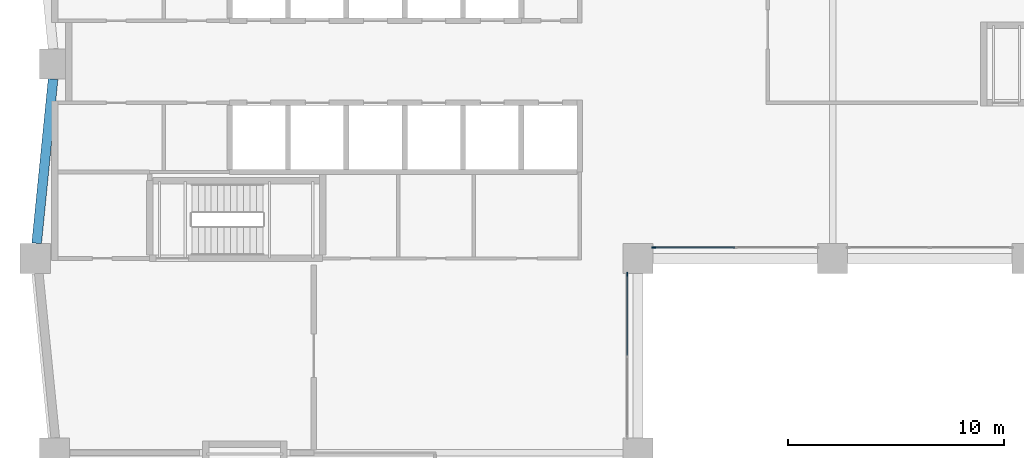
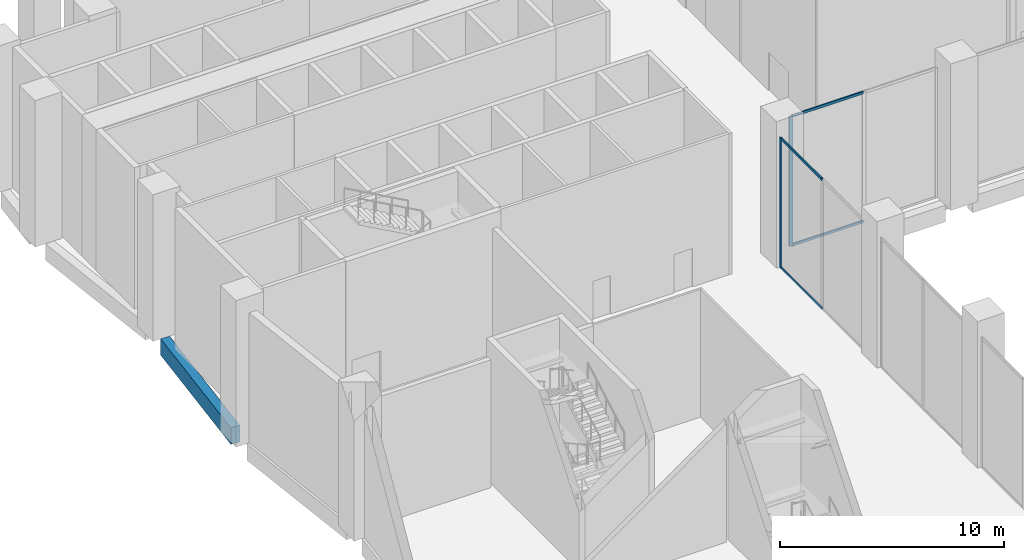
# One storey, part 4 of 19: 6 members, 1 beam, 2 elements without a shape of their own.
"""IFC4 building model written with IfcOpenShell, lengths in metres."""

from ifc_helpers import new_model, si_unit, direction, frame, origin, origin_2d, place, context, subcontext, project, spatial, rectangle, extrude, material, material_profile, profile_set, type_object, element, aggregate, save


model = new_model("IFC4")

# Units and contexts
model_context = context("Model", 3, precision=1e-05, world=origin(), true_north=direction((0.0, 1.0)))
body_context = subcontext(model_context, "Body", "Model", "MODEL_VIEW")
ifc_project = project(units=[si_unit("LENGTHUNIT", "METRE"), si_unit("AREAUNIT", "SQUARE_METRE"), si_unit("VOLUMEUNIT", "CUBIC_METRE"), si_unit("PLANEANGLEUNIT", "RADIAN"), si_unit("MASSUNIT", "GRAM", prefix="KILO")], contexts=[model_context])

# Site, building, storey
site_placement = place(None, origin())
site = spatial("IfcSite", under=ifc_project, at=site_placement, CompositionType="ELEMENT")
building_placement = place(site_placement, origin())
building = spatial("IfcBuilding", under=site, at=building_placement, Name="Brondeck Convention Tower", CompositionType="ELEMENT")
storey_placement = place(building_placement, frame((0.0, 0.0, 19.5)))
storey = spatial("IfcBuildingStorey", under=building, at=storey_placement, Name="L03", CompositionType="ELEMENT", Elevation=19.5)

# Curtain wall, member
ifc_material_1 = material(Name="Aluminium, bronze anodised", Category="aluminium")
curtain_wall_type = type_object("IfcCurtainWallType", Name="Podium hall curtain wall", PredefinedType="NOTDEFINED", material=ifc_material_1)
curtain_wall_1_placement = place(storey_placement, origin())
curtain_wall_1 = element("IfcCurtainWall", 1, at=curtain_wall_1_placement, inside=storey, type_object=curtain_wall_type, Name="ENV-CW2-L03-B-E-01", PredefinedType="NOTDEFINED")
ifc_material_profile_1 = material_profile(ifc_material_1, rectangle(XDim=0.06005859375, YDim=0.179931640625, at=origin_2d()), Name="CW2 mullion")
ifc_profile_set_1 = profile_set([ifc_material_profile_1], Name="Aluminium, bronze anodised")
member_type_1 = type_object("IfcMemberType", Name="CW2 mullion", PredefinedType="MULLION", material=ifc_profile_set_1)
member_1_placement = place(storey_placement, frame((26.5, 35.27001953125, 0.0), z_axis=(0.0, 0.0, 1.0), x_axis=(1.0, 0.0, 0.0)))
member_1 = element("IfcMember", 2, at=member_1_placement, type_object=member_type_1, Name="CW2 mullion 1", PredefinedType="MULLION", context=body_context, shape_type="SweptSolid", body=[
    extrude(rectangle(XDim=0.06005859375, YDim=0.179931640625, at=origin_2d()), origin(), (0.0, 0.0, 1.0), 7.10009765625),
])

curtain_wall_2_placement = place(storey_placement, origin())
curtain_wall_2 = element("IfcCurtainWall", 3, at=curtain_wall_2_placement, inside=storey, type_object=curtain_wall_type, Name="ENV-CW2-L03-A-S-01", PredefinedType="NOTDEFINED")
member_2_placement = place(storey_placement, frame((27.72998046875, 36.5, 0.0), z_axis=(0.0, 0.0, 1.0), x_axis=(0.0, -1.0, 0.0)))
member_2 = element("IfcMember", 4, at=member_2_placement, type_object=member_type_1, Name="CW2 mullion 3", PredefinedType="MULLION", context=body_context, shape_type="SweptSolid", body=[
    extrude(rectangle(XDim=0.06005859375, YDim=0.179931640625, at=origin_2d()), origin(), (0.0, 0.0, 1.0), 7.10009765625),
])

# Member
ifc_material_profile_2 = material_profile(ifc_material_1, rectangle(XDim=0.06005859375, YDim=0.139892578125, at=origin_2d()), Name="CW2 transom")
ifc_profile_set_2 = profile_set([ifc_material_profile_2], Name="Aluminium, bronze anodised")
member_type_2 = type_object("IfcMemberType", Name="CW2 transom", PredefinedType="USERDEFINED", material=ifc_profile_set_2)
member_3_placement = place(storey_placement, frame((26.5, 35.239990234375, 0.030029296875), z_axis=(0.0, -1.0, 0.0), x_axis=(1.0, 0.0, 0.0)))
member_3 = element("IfcMember", 5, at=member_3_placement, type_object=member_type_2, Name="CW2 transom 1.1", ObjectType="TRANSOM", PredefinedType="USERDEFINED", context=body_context, shape_type="SweptSolid", body=[
    extrude(rectangle(XDim=0.06005859375, YDim=0.139892578125, at=origin_2d()), origin(), (0.0, 0.0, 1.0), 3.7099609375),
])

member_4_placement = place(storey_placement, frame((26.5, 35.239990234375, 7.070068359375), z_axis=(0.0, -1.0, 0.0), x_axis=(1.0, 0.0, 0.0)))
member_4 = element("IfcMember", 6, at=member_4_placement, type_object=member_type_2, Name="CW2 transom 1.2", ObjectType="TRANSOM", PredefinedType="USERDEFINED", context=body_context, shape_type="SweptSolid", body=[
    extrude(rectangle(XDim=0.06005859375, YDim=0.139892578125, at=origin_2d()), origin(), (0.0, 0.0, 1.0), 3.7099609375),
])

aggregate(curtain_wall_1, [member_1, member_3, member_4])

member_5_placement = place(storey_placement, frame((31.469970703125, 36.5, 0.030029296875), z_axis=(-1.0, 0.0, 0.0), x_axis=(0.0, -1.0, 0.0)))
member_5 = element("IfcMember", 7, at=member_5_placement, type_object=member_type_2, Name="CW2 transom 2.1", ObjectType="TRANSOM", PredefinedType="USERDEFINED", context=body_context, shape_type="SweptSolid", body=[
    extrude(rectangle(XDim=0.06005859375, YDim=0.139892578125, at=origin_2d()), origin(), (0.0, 0.0, 1.0), 3.7099609375),
])

member_6_placement = place(storey_placement, frame((31.469970703125, 36.5, 7.070068359375), z_axis=(-1.0, 0.0, 0.0), x_axis=(0.0, -1.0, 0.0)))
member_6 = element("IfcMember", 8, at=member_6_placement, type_object=member_type_2, Name="CW2 transom 2.2", ObjectType="TRANSOM", PredefinedType="USERDEFINED", context=body_context, shape_type="SweptSolid", body=[
    extrude(rectangle(XDim=0.06005859375, YDim=0.139892578125, at=origin_2d()), origin(), (0.0, 0.0, 1.0), 3.7099609375),
])

aggregate(curtain_wall_2, [member_2, member_5, member_6])

# Beam
ifc_material_2 = material(Name="Concrete C80/95", Category="concrete")
ifc_material_profile_3 = material_profile(ifc_material_2, rectangle(XDim=0.449951171875, YDim=0.89990234375, at=origin_2d()), Name="Edge beam 450x900 Concrete C80/95")
ifc_profile_set_3 = profile_set([ifc_material_profile_3], Name="Concrete C80/95")
beam_type = type_object("IfcBeamType", Name="Edge beam 450x900 Concrete C80/95", PredefinedType="BEAM", material=ifc_profile_set_3)
beam_placement = place(storey_placement, frame((-0.070068359375, 44.300048828125, -0.449951171875), z_axis=(-0.099503719021, -0.99503719021, 0.0), x_axis=(0.99503719021, -0.099503719021, 0.0)))
element("IfcBeam", 9, at=beam_placement, inside=storey, type_object=beam_type, Name="STR-SP-L03-032", PredefinedType="BEAM", context=body_context, shape_type="SweptSolid", body=[
    extrude(rectangle(XDim=0.449951171875, YDim=0.89990234375, at=origin_2d()), origin(), (0.0, 0.0, 1.0), 7.637939453125),
])

save(model, "model.ifc")
